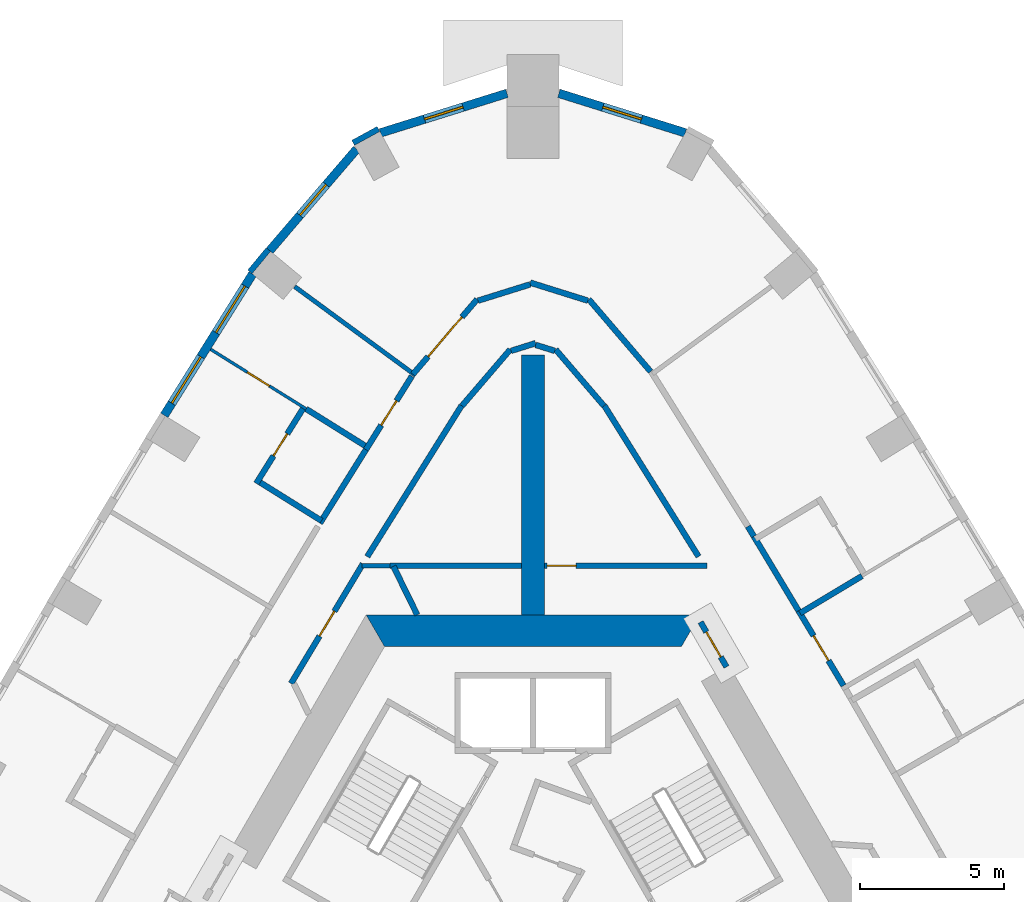
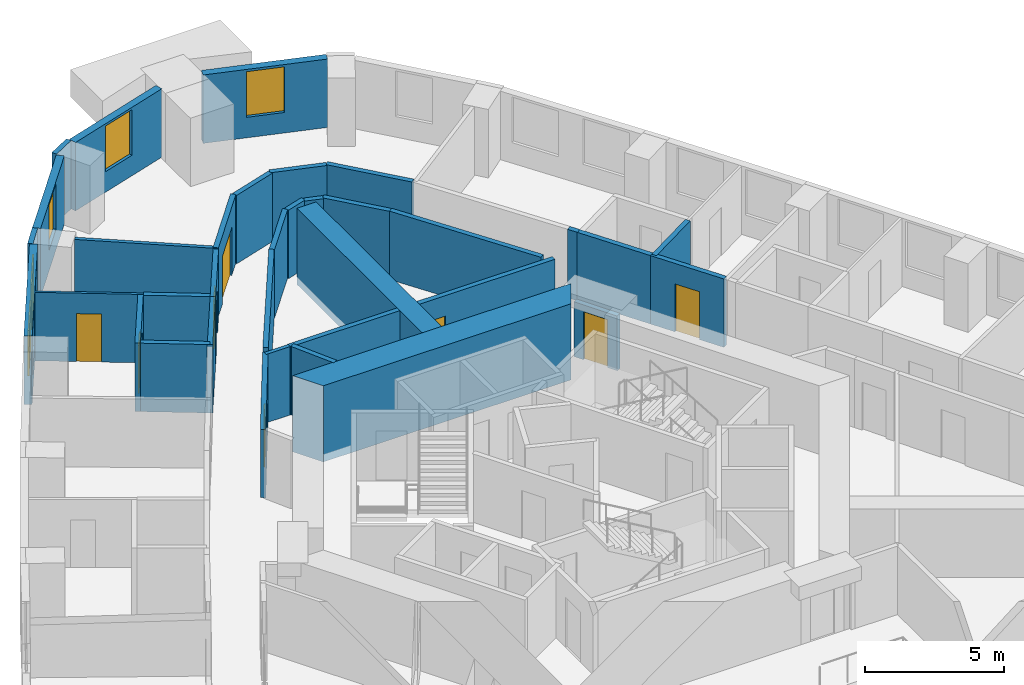
# One storey, part 8 of 12: 35 walls, 8 doors, 5 windows, 13 openings.
"""IFC4 building model written with IfcOpenShell, lengths in metres."""

from ifc_helpers import new_model, si_unit, direction, frame, frame_2d, origin, place, context, subcontext, project, spatial, polyline, rectangle, outline, extrude, material, layer, layer_set, type_object, element, fill, save


model = new_model("IFC4")

# Units and contexts
model_context = context("Model", 3, precision=1e-05, world=origin(), true_north=direction((0.0, 1.0)))
body_context = subcontext(model_context, "Body", "Model", "MODEL_VIEW")
ifc_project = project(units=[si_unit("LENGTHUNIT", "METRE"), si_unit("AREAUNIT", "SQUARE_METRE"), si_unit("VOLUMEUNIT", "CUBIC_METRE"), si_unit("PLANEANGLEUNIT", "RADIAN"), si_unit("MASSUNIT", "GRAM", prefix="KILO")], contexts=[model_context])

# Site, building, storey
site_placement = place(None, origin())
site = spatial("IfcSite", under=ifc_project, at=site_placement, CompositionType="ELEMENT")
building_placement = place(site_placement, origin())
building = spatial("IfcBuilding", under=site, at=building_placement, Name="Entoto Arch Interchange Tower", CompositionType="ELEMENT")
storey_placement = place(building_placement, frame((0.0, 0.0, 277.39990234375)))
storey = spatial("IfcBuildingStorey", under=building, at=storey_placement, Name="L64", CompositionType="ELEMENT", Elevation=277.39990234375)

# Wall
ifc_material_1 = material(Name="Concrete C40/50", Category="concrete")
ifc_layer_1 = layer(ifc_material_1, 0.800048828125)
ifc_layer_set_1 = layer_set([ifc_layer_1], Name="Concrete C40/50")
wall_type_1 = type_object("IfcWallType", Name="Buttress wall 800 C40/50", PredefinedType="SHEAR", material=ifc_layer_set_1)
wall_1_placement = place(storey_placement, frame((0.0, 12.5, -0.33984375), z_axis=(0.0, 0.0, 1.0), x_axis=(0.0, 1.0, 0.0)))
element("IfcWall", 1, at=wall_1_placement, inside=storey, type_object=wall_type_1, Name="Buttress wall N L64", PredefinedType="SHEAR", context=body_context, shape_type="SweptSolid", body=[
    extrude(rectangle(XDim=9.0, YDim=0.800048828125, at=frame_2d((4.5, 0.0))), origin(), (0.0, 0.0, 1.0), 3.33984375),
])

# Wall, opening, door
ifc_material_2 = material(Name="Reinforced concrete C40/50", Category="concrete")
ifc_layer_2 = layer(ifc_material_2, 0.199951171875)
ifc_layer_set_2 = layer_set([ifc_layer_2], Name="Reinforced concrete C40/50")
wall_type_2 = type_object("IfcWallType", Name="CORE GAP INFILL WALL", PredefinedType="PARTITIONING", material=ifc_layer_set_2)
wall_2_placement = place(storey_placement, frame((6.698974609375, 10.697021484375, 0.0), z_axis=(0.0, 0.0, 1.0), x_axis=(-0.499914839587, 0.866074565589, 0.0)))
wall_2 = element("IfcWall", 2, at=wall_2_placement, inside=storey, type_object=wall_type_2, Name="wall:L64:gap2", PredefinedType="PARTITIONING", context=body_context, shape_type="SweptSolid", body=[
    extrude(rectangle(XDim=1.794189453125, YDim=0.199951171875, at=frame_2d((0.89697265625, 0.0))), origin(), (0.0, 0.0, 1.0), 2.400146484375),
])
opening_1_placement = place(wall_2_placement, frame((0.39697265625, 0.0, 0.0)))
opening_1 = element("IfcOpeningElement", 3, at=opening_1_placement, cuts=wall_2, Name="Opening L64-D92", PredefinedType="OPENING", context=body_context, shape_type="SweptSolid", body=[
    extrude(rectangle(XDim=1.0, YDim=2.10009765625, at=frame_2d((0.5, 1.050048828125))), frame((0.0, 0.10986328125, 0.0), z_axis=(0.0, -1.0, 0.0), x_axis=(1.0, 0.0, 0.0)), (0.0, 0.0, 1.0), 0.219970703125),
])
ifc_material_3 = material(Name="Fire-rated Steel S235 door and frame", Category="steel")
door_type_1 = type_object("IfcDoorType", Name="DOOR FD-10 1000x2100", OperationType="SINGLE_SWING_LEFT", PredefinedType="DOOR", material=ifc_material_3)
door_1_placement = place(opening_1_placement, origin())
door_1 = element("IfcDoor", 4, at=door_1_placement, inside=storey, type_object=door_type_1, Name="door:L64:gap2", OperationType="SINGLE_SWING_LEFT", OverallHeight=2.10009765625, OverallWidth=1.0, PredefinedType="DOOR", context=body_context, shape_type="SweptSolid", body=[
    extrude(rectangle(XDim=1.0, YDim=2.10009765625, at=frame_2d((0.5, 1.050048828125))), frame((0.0, 0.02490234375, 0.0), z_axis=(0.0, -1.0, 0.0), x_axis=(1.0, 0.0, 0.0)), (0.0, 0.0, 1.0), 0.050048828125),
])
fill(opening_1, door_1)

# Wall
ifc_layer_3 = layer(ifc_material_1, 1.10009765625)
ifc_layer_set_3 = layer_set([ifc_layer_3], Name="Concrete C40/50")
wall_type_3 = type_object("IfcWallType", Name="Core wall 1100 C40/50", PredefinedType="SHEAR", material=ifc_layer_set_3)
wall_3_placement = place(storey_placement, frame((0.0, 0.0, -0.33984375)))
element("IfcWall", 5, at=wall_3_placement, inside=storey, type_object=wall_type_3, Name="Core wall N L64", PredefinedType="SHEAR", context=body_context, shape_type="SweptSolid", body=[
    extrude(outline(polyline([(5.77392578125, 12.5), (-5.77392578125, 12.5), (-5.137939453125, 11.39990234375), (5.137939453125, 11.39990234375), (5.77392578125, 12.5)])), origin(), (0.0, 0.0, 1.0), 3.33984375),
])

# Wall, opening, door
ifc_material_4 = material(Name="Gypsum board partition on steel studs", Category="steel")
ifc_layer_4 = layer(ifc_material_4, 0.10009765625)
ifc_layer_set_4 = layer_set([ifc_layer_4], Name="Gypsum board partition on steel studs")
wall_type_4 = type_object("IfcWallType", Name="PARTITION 100", PredefinedType="PARTITIONING", material=ifc_layer_set_4)
wall_4_placement = place(storey_placement, frame((-7.847900390625, 19.625, 0.0), z_axis=(0.0, 0.0, 1.0), x_axis=(-0.848188150314, 0.529695064794, 0.0)))
wall_4 = element("IfcWall", 6, at=wall_4_placement, inside=storey, type_object=wall_type_4, Name="wall:L64:p112", PredefinedType="PARTITIONING", context=body_context, shape_type="SweptSolid", body=[
    extrude(rectangle(XDim=3.900146484375, YDim=0.10009765625, at=frame_2d((1.9501953125, 0.0))), origin(), (0.0, 0.0, 1.0), 3.0),
])
opening_2_placement = place(wall_4_placement, frame((1.5, 0.0, 0.0)))
opening_2 = element("IfcOpeningElement", 7, at=opening_2_placement, cuts=wall_4, Name="Opening L64-D11", PredefinedType="OPENING", context=body_context, shape_type="SweptSolid", body=[
    extrude(rectangle(XDim=0.89990234375, YDim=2.10009765625, at=frame_2d((0.449951171875, 1.050048828125))), frame((0.0, 0.06005859375, 0.0), z_axis=(0.0, -1.0, 0.0), x_axis=(1.0, 0.0, 0.0)), (0.0, 0.0, 1.0), 0.1201171875),
])
ifc_material_5 = material(Name="Timber door leaf in Steel S235 frame", Category="steel")
door_type_2 = type_object("IfcDoorType", Name="DOOR DS-09 900x2100", OperationType="SINGLE_SWING_LEFT", PredefinedType="DOOR", material=ifc_material_5)
door_2_placement = place(opening_2_placement, origin())
door_2 = element("IfcDoor", 8, at=door_2_placement, inside=storey, type_object=door_type_2, Name="door:L64:11", OperationType="SINGLE_SWING_RIGHT", OverallHeight=2.10009765625, OverallWidth=0.89990234375, PredefinedType="DOOR", context=body_context, shape_type="SweptSolid", body=[
    extrude(rectangle(XDim=0.89990234375, YDim=2.10009765625, at=frame_2d((0.449951171875, 1.050048828125))), frame((0.0, 0.02490234375, 0.0), z_axis=(0.0, -1.0, 0.0), x_axis=(1.0, 0.0, 0.0)), (0.0, 0.0, 1.0), 0.050048828125),
])
fill(opening_2, door_2)

# Walls
ifc_layer_5 = layer(ifc_material_4, 0.14990234375)
ifc_layer_set_5 = layer_set([ifc_layer_5], Name="Gypsum board partition on steel studs")
wall_type_5 = type_object("IfcWallType", Name="PARTITION 150", PredefinedType="PARTITIONING", material=ifc_layer_set_5)
wall_5_placement = place(storey_placement, frame((-4.93896484375, 14.199951171875, 0.0), z_axis=(0.0, 0.0, 1.0), x_axis=(-1.0, 0.0, 0.0)))
element("IfcWall", 9, at=wall_5_placement, inside=storey, type_object=wall_type_5, Name="wall:L64:p074", PredefinedType="PARTITIONING", context=body_context, shape_type="SweptSolid", body=[
    extrude(rectangle(XDim=0.985107421875, YDim=0.14990234375, at=frame_2d((0.49267578125, 0.0))), origin(), (0.0, 0.0, 1.0), 3.0),
])
wall_6_placement = place(storey_placement, frame((-4.05810546875, 20.784912109375, 0.0), z_axis=(0.0, 0.0, 1.0), x_axis=(-0.805947688418, 0.591986759593, 0.0)))
element("IfcWall", 10, at=wall_6_placement, inside=storey, type_object=wall_type_5, Name="wall:L64:p111", PredefinedType="PARTITIONING", context=body_context, shape_type="SweptSolid", body=[
    extrude(rectangle(XDim=5.1962890625, YDim=0.14990234375, at=frame_2d((2.59814453125, 0.0))), origin(), (0.0, 0.0, 1.0), 3.0),
])
ifc_layer_6 = layer(ifc_material_4, 0.199951171875)
ifc_layer_set_6 = layer_set([ifc_layer_6], Name="Gypsum board partition on steel studs")
wall_type_6 = type_object("IfcWallType", Name="PARTITION 200", PredefinedType="PARTITIONING", material=ifc_layer_set_6)
wall_7_placement = place(storey_placement, frame((-4.0048828125, 12.5, 0.0), z_axis=(0.0, 0.0, 1.0), x_axis=(-0.440355460167, 0.89782351757, 0.0)))
element("IfcWall", 11, at=wall_7_placement, inside=storey, type_object=wall_type_6, Name="wall:L64:p006", PredefinedType="PARTITIONING", context=body_context, shape_type="SweptSolid", body=[
    extrude(rectangle(XDim=1.868896484375, YDim=0.199951171875, at=frame_2d((0.9345703125, 0.0))), origin(), (0.0, 0.0, 1.0), 3.0),
])

# Wall, opening, door
wall_8_placement = place(storey_placement, frame((-5.885009765625, 14.263916015625, 0.0), z_axis=(0.0, 0.0, 1.0), x_axis=(-0.514971458129, -0.857207324579, 0.0)))
wall_8 = element("IfcWall", 12, at=wall_8_placement, inside=storey, type_object=wall_type_6, Name="wall:L64:p007", PredefinedType="PARTITIONING", context=body_context, shape_type="SweptSolid", body=[
    extrude(rectangle(XDim=4.82958984375, YDim=0.199951171875, at=frame_2d((2.414794921875, 0.0))), origin(), (0.0, 0.0, 1.0), 3.0),
])
opening_3_placement = place(wall_8_placement, frame((1.9150390625, 0.0, 0.0)))
opening_3 = element("IfcOpeningElement", 13, at=opening_3_placement, cuts=wall_8, Name="Opening L64-D31", PredefinedType="OPENING", context=body_context, shape_type="SweptSolid", body=[
    extrude(rectangle(XDim=1.0, YDim=2.10009765625, at=frame_2d((0.5, 1.050048828125))), frame((0.0, 0.10986328125, 0.0), z_axis=(0.0, -1.0, 0.0), x_axis=(1.0, 0.0, 0.0)), (0.0, 0.0, 1.0), 0.219970703125),
])
door_type_3 = type_object("IfcDoorType", Name="DOOR DS-10 1000x2100", OperationType="SINGLE_SWING_LEFT", PredefinedType="DOOR", material=ifc_material_5)
door_3_placement = place(opening_3_placement, origin())
door_3 = element("IfcDoor", 14, at=door_3_placement, inside=storey, type_object=door_type_3, Name="door:L64:31", OperationType="SINGLE_SWING_LEFT", OverallHeight=2.10009765625, OverallWidth=1.0, PredefinedType="DOOR", context=body_context, shape_type="SweptSolid", body=[
    extrude(rectangle(XDim=1.0, YDim=2.10009765625, at=frame_2d((0.5, 1.050048828125))), frame((0.0, 0.02490234375, 0.0), z_axis=(0.0, -1.0, 0.0), x_axis=(1.0, 0.0, 0.0)), (0.0, 0.0, 1.0), 0.050048828125),
])
fill(opening_3, door_3)

# Walls
wall_9_placement = place(storey_placement, frame((-4.93896484375, 14.199951171875, 0.0), z_axis=(0.0, 0.0, 1.0), x_axis=(1.0, 0.0, 0.0)))
element("IfcWall", 15, at=wall_9_placement, inside=storey, type_object=wall_type_6, Name="wall:L64:p012", PredefinedType="PARTITIONING", context=body_context, shape_type="SweptSolid", body=[
    extrude(rectangle(XDim=4.5390625, YDim=0.199951171875, at=frame_2d((2.26953125, 0.0))), origin(), (0.0, 0.0, 1.0), 3.0),
])
wall_10_placement = place(storey_placement, frame((5.73388671875, 14.51611328125, 0.0), z_axis=(0.0, 0.0, 1.0), x_axis=(-0.529852912827, 0.848089553508, 0.0)))
element("IfcWall", 16, at=wall_10_placement, inside=storey, type_object=wall_type_6, Name="wall:L64:p013", PredefinedType="PARTITIONING", context=body_context, shape_type="SweptSolid", body=[
    extrude(rectangle(XDim=6.161865234375, YDim=0.199951171875, at=frame_2d((3.0810546875, 0.0))), origin(), (0.0, 0.0, 1.0), 3.0),
])
wall_11_placement = place(storey_placement, frame((2.45703125, 19.73291015625, 0.0), z_axis=(0.0, 0.0, 1.0), x_axis=(-0.650650354416, 0.759377453114, 0.0)))
element("IfcWall", 17, at=wall_11_placement, inside=storey, type_object=wall_type_6, Name="wall:L64:p014", PredefinedType="PARTITIONING", context=body_context, shape_type="SweptSolid", body=[
    extrude(rectangle(XDim=2.566650390625, YDim=0.199951171875, at=frame_2d((1.283203125, 0.0))), origin(), (0.0, 0.0, 1.0), 3.0),
])
wall_12_placement = place(storey_placement, frame((0.757080078125, 21.635986328125, 0.0), z_axis=(0.0, 0.0, 1.0), x_axis=(-0.954429868001, 0.298435297959, 0.0)))
element("IfcWall", 18, at=wall_12_placement, inside=storey, type_object=wall_type_6, Name="wall:L64:p015", PredefinedType="PARTITIONING", context=body_context, shape_type="SweptSolid", body=[
    extrude(rectangle(XDim=0.693603515625, YDim=0.199951171875, at=frame_2d((0.3466796875, 0.0))), origin(), (0.0, 0.0, 1.0), 3.0),
])
wall_13_placement = place(storey_placement, frame((0.094970703125, 21.903076171875, 0.0), z_axis=(0.0, 0.0, 1.0), x_axis=(-0.954216896292, -0.299115554311, 0.0)))
element("IfcWall", 19, at=wall_13_placement, inside=storey, type_object=wall_type_6, Name="wall:L64:p016", PredefinedType="PARTITIONING", context=body_context, shape_type="SweptSolid", body=[
    extrude(rectangle(XDim=0.892822265625, YDim=0.199951171875, at=frame_2d((0.4462890625, 0.0))), origin(), (0.0, 0.0, 1.0), 3.0),
])
wall_14_placement = place(storey_placement, frame((-0.787109375, 21.681884765625, 0.0), z_axis=(0.0, 0.0, 1.0), x_axis=(-0.650650354416, -0.759377453114, 0.0)))
element("IfcWall", 20, at=wall_14_placement, inside=storey, type_object=wall_type_6, Name="wall:L64:p017", PredefinedType="PARTITIONING", context=body_context, shape_type="SweptSolid", body=[
    extrude(rectangle(XDim=2.566650390625, YDim=0.199951171875, at=frame_2d((1.283203125, 0.0))), origin(), (0.0, 0.0, 1.0), 3.0),
])
wall_15_placement = place(storey_placement, frame((-2.468994140625, 19.741943359375, 0.0), z_axis=(0.0, 0.0, 1.0), x_axis=(-0.529852912827, -0.848089553508, 0.0)))
element("IfcWall", 21, at=wall_15_placement, inside=storey, type_object=wall_type_6, Name="wall:L64:p018", PredefinedType="PARTITIONING", context=body_context, shape_type="SweptSolid", body=[
    extrude(rectangle(XDim=6.161865234375, YDim=0.199951171875, at=frame_2d((3.0810546875, 0.0))), origin(), (0.0, 0.0, 1.0), 3.0),
])

# Wall, opening, door
wall_16_placement = place(storey_placement, frame((9.19189453125, 12.64306640625, 0.0), z_axis=(0.0, 0.0, 1.0), x_axis=(0.51491096884, -0.857243660909, 0.0)))
wall_16 = element("IfcWall", 22, at=wall_16_placement, inside=storey, type_object=wall_type_6, Name="wall:L64:p049", PredefinedType="PARTITIONING", context=body_context, shape_type="SweptSolid", body=[
    extrude(rectangle(XDim=3.02587890625, YDim=0.199951171875, at=frame_2d((1.512939453125, 0.0))), origin(), (0.0, 0.0, 1.0), 3.0),
])
opening_4_placement = place(wall_16_placement, frame((1.011962890625, 0.0, 0.0)))
opening_4 = element("IfcOpeningElement", 23, at=opening_4_placement, cuts=wall_16, Name="Opening L64-D07", PredefinedType="OPENING", context=body_context, shape_type="SweptSolid", body=[
    extrude(rectangle(XDim=1.0, YDim=2.10009765625, at=frame_2d((0.5, 1.050048828125))), frame((0.0, 0.10986328125, 0.0), z_axis=(0.0, -1.0, 0.0), x_axis=(1.0, 0.0, 0.0)), (0.0, 0.0, 1.0), 0.219970703125),
])
door_4_placement = place(opening_4_placement, origin())
door_4 = element("IfcDoor", 24, at=door_4_placement, inside=storey, type_object=door_type_1, Name="door:L64:07", OperationType="SINGLE_SWING_LEFT", OverallHeight=2.10009765625, OverallWidth=1.0, PredefinedType="DOOR", context=body_context, shape_type="SweptSolid", body=[
    extrude(rectangle(XDim=1.0, YDim=2.10009765625, at=frame_2d((0.5, 1.050048828125))), frame((0.0, 0.02490234375, 0.0), z_axis=(0.0, -1.0, 0.0), x_axis=(1.0, 0.0, 0.0)), (0.0, 0.0, 1.0), 0.050048828125),
])
fill(opening_4, door_4)

# Walls
wall_17_placement = place(storey_placement, frame((7.43994140625, 15.56103515625, 0.0), z_axis=(0.0, 0.0, 1.0), x_axis=(0.514229456049, -0.857652649114, 0.0)))
element("IfcWall", 25, at=wall_17_placement, inside=storey, type_object=wall_type_6, Name="wall:L64:p051", PredefinedType="PARTITIONING", context=body_context, shape_type="SweptSolid", body=[
    extrude(rectangle(XDim=0.404541015625, YDim=0.199951171875, at=frame_2d((0.2021484375, 0.0))), origin(), (0.0, 0.0, 1.0), 3.0),
])
wall_18_placement = place(storey_placement, frame((7.64794921875, 15.214111328125, 0.0), z_axis=(0.0, 0.0, 1.0), x_axis=(0.515118014871, -0.857119262854, 0.0)))
element("IfcWall", 26, at=wall_18_placement, inside=storey, type_object=wall_type_6, Name="wall:L64:p052", PredefinedType="PARTITIONING", context=body_context, shape_type="SweptSolid", body=[
    extrude(rectangle(XDim=2.999755859375, YDim=0.199951171875, at=frame_2d((1.5, 0.0))), origin(), (0.0, 0.0, 1.0), 3.0),
])

# Wall, opening, door
wall_19_placement = place(storey_placement, frame((-4.155029296875, 20.824951171875, 0.0), z_axis=(0.0, 0.0, 1.0), x_axis=(0.650396970678, 0.75959448427, 0.0)))
wall_19 = element("IfcWall", 27, at=wall_19_placement, inside=storey, type_object=wall_type_6, Name="wall:L64:p053", PredefinedType="PARTITIONING", context=body_context, shape_type="SweptSolid", body=[
    extrude(rectangle(XDim=3.416259765625, YDim=0.199951171875, at=frame_2d((1.7080078125, 0.0))), origin(), (0.0, 0.0, 1.0), 3.0),
])
opening_5_placement = place(wall_19_placement, frame((0.80810546875, 0.0, 0.0)))
opening_5 = element("IfcOpeningElement", 28, at=opening_5_placement, cuts=wall_19, Name="Opening L64-D18", PredefinedType="OPENING", context=body_context, shape_type="SweptSolid", body=[
    extrude(rectangle(XDim=1.800048828125, YDim=2.10009765625, at=frame_2d((0.89990234375, 1.050048828125))), frame((0.0, 0.10986328125, 0.0), z_axis=(0.0, -1.0, 0.0), x_axis=(1.0, 0.0, 0.0)), (0.0, 0.0, 1.0), 0.219970703125),
])
door_type_4 = type_object("IfcDoorType", Name="DOOR DD-18 1800x2100", OperationType="DOUBLE_DOOR_SINGLE_SWING", PredefinedType="DOOR", material=ifc_material_5)
door_5_placement = place(opening_5_placement, origin())
door_5 = element("IfcDoor", 29, at=door_5_placement, inside=storey, type_object=door_type_4, Name="door:L64:18", OperationType="DOUBLE_DOOR_SINGLE_SWING", OverallHeight=2.10009765625, OverallWidth=1.800048828125, PredefinedType="DOOR", context=body_context, shape_type="SweptSolid", body=[
    extrude(rectangle(XDim=1.800048828125, YDim=2.10009765625, at=frame_2d((0.89990234375, 1.050048828125))), frame((0.0, 0.02490234375, 0.0), z_axis=(0.0, -1.0, 0.0), x_axis=(1.0, 0.0, 0.0)), (0.0, 0.0, 1.0), 0.050048828125),
])
fill(opening_5, door_5)

# Walls
wall_20_placement = place(storey_placement, frame((-1.902099609375, 23.373046875, 0.0), z_axis=(0.0, 0.0, 1.0), x_axis=(0.954447851072, 0.298377779976, 0.0)))
element("IfcWall", 30, at=wall_20_placement, inside=storey, type_object=wall_type_6, Name="wall:L64:p054", PredefinedType="PARTITIONING", context=body_context, shape_type="SweptSolid", body=[
    extrude(rectangle(XDim=1.893310546875, YDim=0.199951171875, at=frame_2d((0.94677734375, 0.0))), origin(), (0.0, 0.0, 1.0), 3.0),
])
wall_21_placement = place(storey_placement, frame((-0.094970703125, 23.998046875, 0.0), z_axis=(0.0, 0.0, 1.0), x_axis=(0.954355336779, -0.298673552831, 0.0)))
element("IfcWall", 31, at=wall_21_placement, inside=storey, type_object=wall_type_6, Name="wall:L64:p055", PredefinedType="PARTITIONING", context=body_context, shape_type="SweptSolid", body=[
    extrude(rectangle(XDim=2.092529296875, YDim=0.199951171875, at=frame_2d((1.04638671875, 0.0))), origin(), (0.0, 0.0, 1.0), 3.0),
])
wall_22_placement = place(storey_placement, frame((1.93310546875, 23.419921875, 0.0), z_axis=(0.0, 0.0, 1.0), x_axis=(0.65027189398, -0.759701562391, 0.0)))
element("IfcWall", 32, at=wall_22_placement, inside=storey, type_object=wall_type_6, Name="wall:L64:p056", PredefinedType="PARTITIONING", context=body_context, shape_type="SweptSolid", body=[
    extrude(rectangle(XDim=3.290771484375, YDim=0.199951171875, at=frame_2d((1.6455078125, 0.0))), origin(), (0.0, 0.0, 1.0), 3.0),
])

# Wall, opening, door
wall_23_placement = place(storey_placement, frame((-5.781005859375, 18.215087890625, 0.0), z_axis=(0.0, 0.0, 1.0), x_axis=(0.530028199927, 0.847980015851, 0.0)))
wall_23 = element("IfcWall", 33, at=wall_23_placement, inside=storey, type_object=wall_type_6, Name="wall:L64:p057", PredefinedType="PARTITIONING", context=body_context, shape_type="SweptSolid", body=[
    extrude(rectangle(XDim=3.0, YDim=0.199951171875, at=frame_2d((1.5, 0.0))), origin(), (0.0, 0.0, 1.0), 3.0),
])
opening_6_placement = place(wall_23_placement, frame((1.0, 0.0, 0.0)))
opening_6 = element("IfcOpeningElement", 34, at=opening_6_placement, cuts=wall_23, Name="Opening L64-D10", PredefinedType="OPENING", context=body_context, shape_type="SweptSolid", body=[
    extrude(rectangle(XDim=1.0, YDim=2.10009765625, at=frame_2d((0.5, 1.050048828125))), frame((0.0, 0.10986328125, 0.0), z_axis=(0.0, -1.0, 0.0), x_axis=(1.0, 0.0, 0.0)), (0.0, 0.0, 1.0), 0.219970703125),
])
door_6_placement = place(opening_6_placement, origin())
door_6 = element("IfcDoor", 35, at=door_6_placement, inside=storey, type_object=door_type_1, Name="door:L64:10", OperationType="SINGLE_SWING_RIGHT", OverallHeight=2.10009765625, OverallWidth=1.0, PredefinedType="DOOR", context=body_context, shape_type="SweptSolid", body=[
    extrude(rectangle(XDim=1.0, YDim=2.10009765625, at=frame_2d((0.5, 1.050048828125))), frame((0.0, 0.02490234375, 0.0), z_axis=(0.0, -1.0, 0.0), x_axis=(1.0, 0.0, 0.0)), (0.0, 0.0, 1.0), 0.050048828125),
])
fill(opening_6, door_6)

# Walls
wall_24_placement = place(storey_placement, frame((-7.37109375, 15.6708984375, 0.0), z_axis=(0.0, 0.0, 1.0), x_axis=(0.529991625428, 0.84800287557, 0.0)))
element("IfcWall", 36, at=wall_24_placement, inside=storey, type_object=wall_type_6, Name="wall:L64:p059", PredefinedType="PARTITIONING", context=body_context, shape_type="SweptSolid", body=[
    extrude(rectangle(XDim=3.000244140625, YDim=0.199951171875, at=frame_2d((1.5, 0.0))), origin(), (0.0, 0.0, 1.0), 3.0),
])
wall_25_placement = place(storey_placement, frame((9.243896484375, 12.556884765625, 0.0), z_axis=(0.0, 0.0, 1.0), x_axis=(0.857268798444, 0.514869116586, 0.0)))
element("IfcWall", 37, at=wall_25_placement, inside=storey, type_object=wall_type_6, Name="wall:L64:p107", PredefinedType="PARTITIONING", context=body_context, shape_type="SweptSolid", body=[
    extrude(rectangle(XDim=2.499755859375, YDim=0.199951171875, at=frame_2d((1.25, 0.0))), origin(), (0.0, 0.0, 1.0), 3.0),
])
wall_26_placement = place(storey_placement, frame((-5.81298828125, 18.35302734375, 0.0), z_axis=(0.0, 0.0, 1.0), x_axis=(-0.847969725239, 0.530044663287, 0.0)))
element("IfcWall", 38, at=wall_26_placement, inside=storey, type_object=wall_type_6, Name="wall:L64:p113", PredefinedType="PARTITIONING", context=body_context, shape_type="SweptSolid", body=[
    extrude(rectangle(XDim=2.399658203125, YDim=0.199951171875, at=frame_2d((1.19970703125, 0.0))), origin(), (0.0, 0.0, 1.0), 3.0),
])

# Wall, opening, door
wall_27_placement = place(storey_placement, frame((-7.906982421875, 19.719970703125, 0.0), z_axis=(0.0, 0.0, 1.0), x_axis=(-0.529915322147, -0.848050559433, 0.0)))
wall_27 = element("IfcWall", 39, at=wall_27_placement, inside=storey, type_object=wall_type_6, Name="wall:L64:p114", PredefinedType="PARTITIONING", context=body_context, shape_type="SweptSolid", body=[
    extrude(rectangle(XDim=3.1494140625, YDim=0.199951171875, at=frame_2d((1.57470703125, 0.0))), origin(), (0.0, 0.0, 1.0), 3.0),
])
opening_7_placement = place(wall_27_placement, frame((1.125, 0.0, 0.0)))
opening_7 = element("IfcOpeningElement", 40, at=opening_7_placement, cuts=wall_27, Name="Opening L64-D12", PredefinedType="OPENING", context=body_context, shape_type="SweptSolid", body=[
    extrude(rectangle(XDim=0.89990234375, YDim=2.10009765625, at=frame_2d((0.449951171875, 1.050048828125))), frame((0.0, 0.10986328125, 0.0), z_axis=(0.0, -1.0, 0.0), x_axis=(1.0, 0.0, 0.0)), (0.0, 0.0, 1.0), 0.219970703125),
])
door_7_placement = place(opening_7_placement, origin())
door_7 = element("IfcDoor", 41, at=door_7_placement, inside=storey, type_object=door_type_2, Name="door:L64:12", OperationType="SINGLE_SWING_LEFT", OverallHeight=2.10009765625, OverallWidth=0.89990234375, PredefinedType="DOOR", context=body_context, shape_type="SweptSolid", body=[
    extrude(rectangle(XDim=0.89990234375, YDim=2.10009765625, at=frame_2d((0.449951171875, 1.050048828125))), frame((0.0, 0.02490234375, 0.0), z_axis=(0.0, -1.0, 0.0), x_axis=(1.0, 0.0, 0.0)), (0.0, 0.0, 1.0), 0.050048828125),
])
fill(opening_7, door_7)

# Wall
wall_28_placement = place(storey_placement, frame((-9.43798828125, 17.0810546875, 0.0), z_axis=(0.0, 0.0, 1.0), x_axis=(0.847992817371, -0.530007718516, 0.0)))
element("IfcWall", 42, at=wall_28_placement, inside=storey, type_object=wall_type_6, Name="wall:L64:p115", PredefinedType="PARTITIONING", context=body_context, shape_type="SweptSolid", body=[
    extrude(rectangle(XDim=2.499755859375, YDim=0.199951171875, at=frame_2d((1.25, 0.0))), origin(), (0.0, 0.0, 1.0), 3.0),
])

# Wall, opening, door
wall_29_placement = place(storey_placement, frame((0.39990234375, 14.199951171875, 0.0), z_axis=(0.0, 0.0, 1.0), x_axis=(1.0, 0.0, 0.0)))
wall_29 = element("IfcWall", 43, at=wall_29_placement, inside=storey, type_object=wall_type_6, Name="wall:L64:p012", PredefinedType="PARTITIONING", context=body_context, shape_type="SweptSolid", body=[
    extrude(rectangle(XDim=5.6240234375, YDim=0.199951171875, at=frame_2d((2.81201171875, 0.0))), origin(), (0.0, 0.0, 1.0), 3.0),
])
opening_8_placement = place(wall_29_placement, frame((0.093017578125, 0.0, 0.0)))
opening_8 = element("IfcOpeningElement", 44, at=opening_8_placement, cuts=wall_29, Name="Opening L64-D25", PredefinedType="OPENING", context=body_context, shape_type="SweptSolid", body=[
    extrude(rectangle(XDim=1.0, YDim=2.10009765625, at=frame_2d((0.5, 1.050048828125))), frame((0.0, 0.10986328125, 0.0), z_axis=(0.0, -1.0, 0.0), x_axis=(1.0, 0.0, 0.0)), (0.0, 0.0, 1.0), 0.219970703125),
])
door_8_placement = place(opening_8_placement, origin())
door_8 = element("IfcDoor", 45, at=door_8_placement, inside=storey, type_object=door_type_3, Name="door:L64:25", OperationType="SINGLE_SWING_LEFT", OverallHeight=2.10009765625, OverallWidth=1.0, PredefinedType="DOOR", context=body_context, shape_type="SweptSolid", body=[
    extrude(rectangle(XDim=1.0, YDim=2.10009765625, at=frame_2d((0.5, 1.050048828125))), frame((0.0, 0.02490234375, 0.0), z_axis=(0.0, -1.0, 0.0), x_axis=(1.0, 0.0, 0.0)), (0.0, 0.0, 1.0), 0.050048828125),
])
fill(opening_8, door_8)

# Wall, opening, window
ifc_material_6 = material(Name="Welded tuff (ignimbrite) cladding, warm buff", Category="masonry")
ifc_layer_7 = layer(ifc_material_6, 0.300048828125)
ifc_layer_set_7 = layer_set([ifc_layer_7], Name="Welded tuff (ignimbrite) cladding, warm buff")
wall_type_7 = type_object("IfcWallType", Name="STONE INFILL WALL 300", PredefinedType="STANDARD", material=ifc_layer_set_7)
wall_30_placement = place(storey_placement, frame((5.27490234375, 29.181884765625, 0.0), z_axis=(0.0, 0.0, 1.0), x_axis=(-0.954438278963, 0.298408397417, 0.0)))
wall_30 = element("IfcWall", 46, at=wall_30_placement, inside=storey, type_object=wall_type_7, Name="Facade wall N-02 L64", PredefinedType="STANDARD", context=body_context, shape_type="SweptSolid", body=[
    extrude(rectangle(XDim=4.5849609375, YDim=0.300048828125, at=frame_2d((2.29248046875, 0.0))), origin(), (0.0, 0.0, 1.0), 3.0),
])
opening_9_placement = place(wall_30_placement, frame((1.592041015625, 0.0, 0.89990234375)))
opening_9 = element("IfcOpeningElement", 47, at=opening_9_placement, cuts=wall_30, Name="Opening WH-B", PredefinedType="OPENING", context=body_context, shape_type="SweptSolid", body=[
    extrude(rectangle(XDim=1.39990234375, YDim=2.0, at=frame_2d((0.699951171875, 1.0))), frame((0.0, 0.16015625, 0.0), z_axis=(0.0, -1.0, 0.0), x_axis=(1.0, 0.0, 0.0)), (0.0, 0.0, 1.0), 0.320068359375),
])
ifc_material_7 = material(Name="Clear glass, low-e double glazed", Category="glass")
window_type_1 = type_object("IfcWindowType", Name="WINDOW WH-B 1400x2000", PartitioningType="DOUBLE_PANEL_VERTICAL", PredefinedType="WINDOW", material=ifc_material_7)
window_1_placement = place(opening_9_placement, origin())
window_1 = element("IfcWindow", 48, at=window_1_placement, inside=storey, type_object=window_type_1, Name="Window WH-B N-02 L64", OverallHeight=2.0, OverallWidth=1.39990234375, PartitioningType="SINGLE_PANEL", PredefinedType="WINDOW", context=body_context, shape_type="SweptSolid", body=[
    extrude(rectangle(XDim=1.39990234375, YDim=2.0, at=frame_2d((0.699951171875, 1.0))), frame((0.0, 0.030029296875, 0.0), z_axis=(0.0, -1.0, 0.0), x_axis=(1.0, 0.0, 0.0)), (0.0, 0.0, 1.0), 0.06005859375),
])
fill(opening_9, window_1)

wall_31_placement = place(storey_placement, frame((-0.89892578125, 30.550048828125, 0.0), z_axis=(0.0, 0.0, 1.0), x_axis=(-0.954438278963, -0.298408397417, 0.0)))
wall_31 = element("IfcWall", 49, at=wall_31_placement, inside=storey, type_object=wall_type_7, Name="Facade wall N-03 L64", PredefinedType="STANDARD", context=body_context, shape_type="SweptSolid", body=[
    extrude(rectangle(XDim=4.5849609375, YDim=0.300048828125, at=frame_2d((2.29248046875, 0.0))), origin(), (0.0, 0.0, 1.0), 3.0),
])
opening_10_placement = place(wall_31_placement, frame((1.592041015625, 0.0, 0.89990234375)))
opening_10 = element("IfcOpeningElement", 50, at=opening_10_placement, cuts=wall_31, Name="Opening WH-B", PredefinedType="OPENING", context=body_context, shape_type="SweptSolid", body=[
    extrude(rectangle(XDim=1.39990234375, YDim=2.0, at=frame_2d((0.699951171875, 1.0))), frame((0.0, 0.16015625, 0.0), z_axis=(0.0, -1.0, 0.0), x_axis=(1.0, 0.0, 0.0)), (0.0, 0.0, 1.0), 0.320068359375),
])
window_2_placement = place(opening_10_placement, origin())
window_2 = element("IfcWindow", 51, at=window_2_placement, inside=storey, type_object=window_type_1, Name="Window WH-B N-03 L64", OverallHeight=2.0, OverallWidth=1.39990234375, PartitioningType="SINGLE_PANEL", PredefinedType="WINDOW", context=body_context, shape_type="SweptSolid", body=[
    extrude(rectangle(XDim=1.39990234375, YDim=2.0, at=frame_2d((0.699951171875, 1.0))), frame((0.0, 0.030029296875, 0.0), z_axis=(0.0, -1.0, 0.0), x_axis=(1.0, 0.0, 0.0)), (0.0, 0.0, 1.0), 0.06005859375),
])
fill(opening_10, window_2)

wall_32_placement = place(storey_placement, frame((-6.10498046875, 28.616943359375, 0.0), z_axis=(0.0, 0.0, 1.0), x_axis=(-0.650534879197, -0.759476379454, 0.0)))
wall_32 = element("IfcWall", 52, at=wall_32_placement, inside=storey, type_object=wall_type_7, Name="Facade wall N-04 L64", PredefinedType="STANDARD", context=body_context, shape_type="SweptSolid", body=[
    extrude(rectangle(XDim=4.62548828125, YDim=0.300048828125, at=frame_2d((2.312744140625, 0.0))), origin(), (0.0, 0.0, 1.0), 3.0),
])
opening_11_placement = place(wall_32_placement, frame((1.613037109375, 0.0, 0.89990234375)))
opening_11 = element("IfcOpeningElement", 53, at=opening_11_placement, cuts=wall_32, Name="Opening WH-B", PredefinedType="OPENING", context=body_context, shape_type="SweptSolid", body=[
    extrude(rectangle(XDim=1.39990234375, YDim=2.0, at=frame_2d((0.699951171875, 1.0))), frame((0.0, 0.16015625, 0.0), z_axis=(0.0, -1.0, 0.0), x_axis=(1.0, 0.0, 0.0)), (0.0, 0.0, 1.0), 0.320068359375),
])
window_3_placement = place(opening_11_placement, origin())
window_3 = element("IfcWindow", 54, at=window_3_placement, inside=storey, type_object=window_type_1, Name="Window WH-B N-04 L64", OverallHeight=2.0, OverallWidth=1.39990234375, PartitioningType="SINGLE_PANEL", PredefinedType="WINDOW", context=body_context, shape_type="SweptSolid", body=[
    extrude(rectangle(XDim=1.39990234375, YDim=2.0, at=frame_2d((0.699951171875, 1.0))), frame((0.0, 0.030029296875, 0.0), z_axis=(0.0, -1.0, 0.0), x_axis=(1.0, 0.0, 0.0)), (0.0, 0.0, 1.0), 0.06005859375),
])
fill(opening_11, window_3)

# Wall, openings, windows
wall_33_placement = place(storey_placement, frame((-9.7041015625, 24.297119140625, 0.0), z_axis=(0.0, 0.0, 1.0), x_axis=(-0.529915244244, -0.848050608111, 0.0)))
wall_33 = element("IfcWall", 55, at=wall_33_placement, inside=storey, type_object=wall_type_7, Name="Facade wall NW-01 L64", PredefinedType="STANDARD", context=body_context, shape_type="SweptSolid", body=[
    extrude(rectangle(XDim=5.7685546875, YDim=0.300048828125, at=frame_2d((2.88427734375, 0.0))), origin(), (0.0, 0.0, 1.0), 3.0),
])
opening_12_placement = place(wall_33_placement, frame((0.491943359375, 0.0, 0.89990234375)))
opening_12 = element("IfcOpeningElement", 56, at=opening_12_placement, cuts=wall_33, Name="Opening WH-C", PredefinedType="OPENING", context=body_context, shape_type="SweptSolid", body=[
    extrude(rectangle(XDim=1.89990234375, YDim=2.0, at=frame_2d((0.949951171875, 1.0))), frame((0.0, 0.16015625, 0.0), z_axis=(0.0, -1.0, 0.0), x_axis=(1.0, 0.0, 0.0)), (0.0, 0.0, 1.0), 0.320068359375),
])
opening_13_placement = place(wall_33_placement, frame((3.3759765625, 0.0, 0.89990234375)))
opening_13 = element("IfcOpeningElement", 57, at=opening_13_placement, cuts=wall_33, Name="Opening WH-C", PredefinedType="OPENING", context=body_context, shape_type="SweptSolid", body=[
    extrude(rectangle(XDim=1.89990234375, YDim=2.0, at=frame_2d((0.949951171875, 1.0))), frame((0.0, 0.16015625, 0.0), z_axis=(0.0, -1.0, 0.0), x_axis=(1.0, 0.0, 0.0)), (0.0, 0.0, 1.0), 0.320068359375),
])
window_type_2 = type_object("IfcWindowType", Name="WINDOW WH-C 1900x2000", PartitioningType="DOUBLE_PANEL_VERTICAL", PredefinedType="WINDOW", material=ifc_material_7)
window_4_placement = place(opening_12_placement, origin())
window_4 = element("IfcWindow", 58, at=window_4_placement, inside=storey, type_object=window_type_2, Name="Window WH-C NW-01 L64", OverallHeight=2.0, OverallWidth=1.89990234375, PartitioningType="SINGLE_PANEL", PredefinedType="WINDOW", context=body_context, shape_type="SweptSolid", body=[
    extrude(rectangle(XDim=1.89990234375, YDim=2.0, at=frame_2d((0.949951171875, 1.0))), frame((0.0, 0.030029296875, 0.0), z_axis=(0.0, -1.0, 0.0), x_axis=(1.0, 0.0, 0.0)), (0.0, 0.0, 1.0), 0.06005859375),
])
fill(opening_12, window_4)
window_5_placement = place(opening_13_placement, origin())
window_5 = element("IfcWindow", 59, at=window_5_placement, inside=storey, type_object=window_type_2, Name="Window WH-C NW-01 L64", OverallHeight=2.0, OverallWidth=1.89990234375, PartitioningType="SINGLE_PANEL", PredefinedType="WINDOW", context=body_context, shape_type="SweptSolid", body=[
    extrude(rectangle(XDim=1.89990234375, YDim=2.0, at=frame_2d((0.949951171875, 1.0))), frame((0.0, 0.030029296875, 0.0), z_axis=(0.0, -1.0, 0.0), x_axis=(1.0, 0.0, 0.0)), (0.0, 0.0, 1.0), 0.06005859375),
])
fill(opening_13, window_5)

# Walls
ifc_layer_8 = layer(ifc_material_6, 0.199951171875)
ifc_layer_set_8 = layer_set([ifc_layer_8], Name="Welded tuff (ignimbrite) cladding, warm buff")
wall_type_8 = type_object("IfcWallType", Name="STONE PIER CLADDING 200", PredefinedType="STANDARD", material=ifc_layer_set_8)
wall_34_placement = place(storey_placement, frame((-5.346923828125, 29.31494140625, 0.0), z_axis=(0.0, 0.0, 1.0), x_axis=(-0.878305841364, -0.478099204168, 0.0)))
element("IfcWall", 60, at=wall_34_placement, inside=storey, type_object=wall_type_8, Name="Stone pier N3 L64", PredefinedType="STANDARD", context=body_context, shape_type="SweptSolid", body=[
    extrude(rectangle(XDim=0.999755859375, YDim=0.199951171875, at=frame_2d((0.5, 0.0))), origin(), (0.0, 0.0, 1.0), 3.0),
])
wall_35_placement = place(storey_placement, frame((-9.157958984375, 25.14208984375, 0.0), z_axis=(0.0, 0.0, 1.0), x_axis=(-0.637972365578, -0.770059257953, 0.0)))
element("IfcWall", 61, at=wall_35_placement, inside=storey, type_object=wall_type_8, Name="Stone pier NW01 L64", PredefinedType="STANDARD", context=body_context, shape_type="SweptSolid", body=[
    extrude(rectangle(XDim=1.0, YDim=0.199951171875, at=frame_2d((0.5, 0.0))), origin(), (0.0, 0.0, 1.0), 3.0),
])

save(model, "model.ifc")
